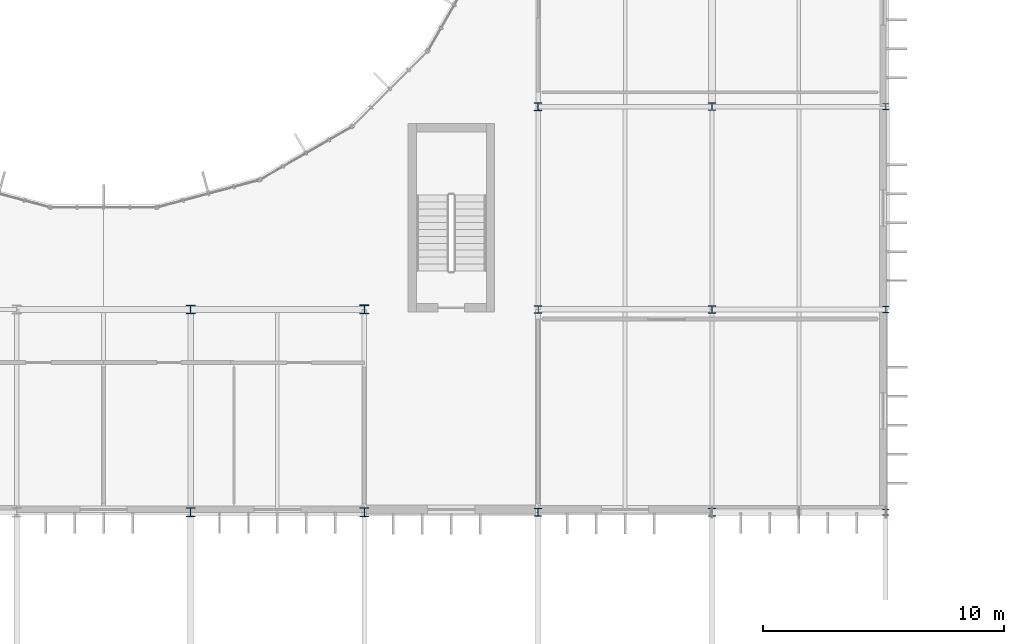
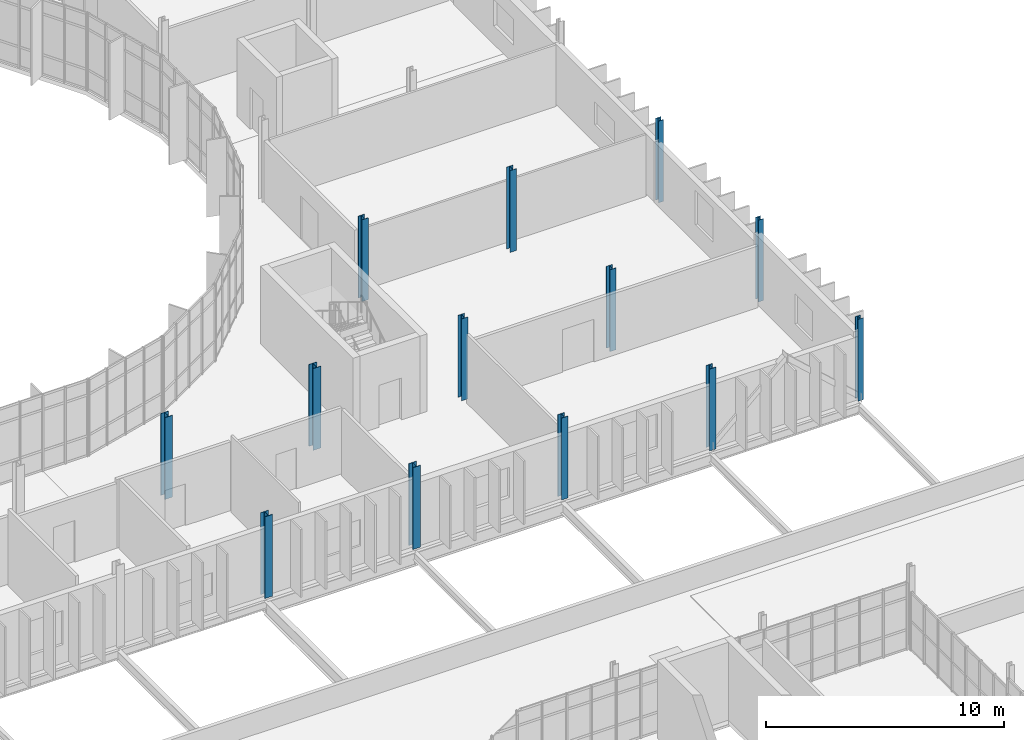
# One storey, part 22 of 119: 13 columns.
"""IFC4 building model written with IfcOpenShell, lengths in metres."""

from ifc_helpers import new_model, si_unit, direction, frame, origin, origin_2d, place, context, subcontext, project, spatial, i_section, extrude, material, material_profile, profile_set, type_object, element, save


model = new_model("IFC4")

# Units and contexts
model_context = context("Model", 3, precision=1e-05, world=origin(), true_north=direction((0.0, 1.0)))
body_context = subcontext(model_context, "Body", "Model", "MODEL_VIEW")
ifc_project = project(units=[si_unit("LENGTHUNIT", "METRE"), si_unit("AREAUNIT", "SQUARE_METRE"), si_unit("VOLUMEUNIT", "CUBIC_METRE"), si_unit("PLANEANGLEUNIT", "RADIAN"), si_unit("MASSUNIT", "GRAM", prefix="KILO")], contexts=[model_context])

# Site, building, storey
site_placement = place(None, origin())
site = spatial("IfcSite", under=ifc_project, at=site_placement, CompositionType="ELEMENT")
building_placement = place(site_placement, origin())
building = spatial("IfcBuilding", under=site, at=building_placement, Name="Qelthora Terrace Specialist Clinic", CompositionType="ELEMENT")
storey_placement = place(building_placement, frame((0.0, 0.0, 4.800048828125)))
storey = spatial("IfcBuildingStorey", under=building, at=storey_placement, Name="L01", CompositionType="ELEMENT", Elevation=4.800048828125)

# Columns
ifc_material = material(Name="Steel S355", Category="steel")
ifc_material_profile_1 = material_profile(ifc_material, i_section(OverallWidth=0.25390625, OverallDepth=0.2529296875, WebThickness=0.008544921875, FlangeThickness=0.01416015625, FilletRadius=0.012939453125, at=origin_2d()), Name="W250X73")
ifc_profile_set_1 = profile_set([ifc_material_profile_1], Name="Steel S355")
column_type_1 = type_object("IfcColumnType", Name="COL-W250X73", PredefinedType="COLUMN", material=ifc_profile_set_1)
column_1_placement = place(storey_placement, frame((158.39990234375, 50.39990234375, 0.0), z_axis=(0.0, 0.0, 1.0), x_axis=(1.0, 0.0, 0.0)))
element("IfcColumn", 1, at=column_1_placement, inside=storey, type_object=column_type_1, Name="Column L01-254", PredefinedType="COLUMN", context=body_context, shape_type="SweptSolid", body=[
    extrude(i_section(OverallWidth=0.25390625, OverallDepth=0.2529296875, WebThickness=0.008544921875, FlangeThickness=0.01416015625, FilletRadius=0.012939453125, at=origin_2d()), origin(), (0.0, 0.0, 1.0), 4.199951171875),
])
ifc_material_profile_2 = material_profile(ifc_material, i_section(OverallWidth=0.2548828125, OverallDepth=0.256103515625, WebThickness=0.009521484375, FlangeThickness=0.015625, FilletRadius=0.012939453125, at=origin_2d()), Name="W250X80")
ifc_profile_set_2 = profile_set([ifc_material_profile_2], Name="Steel S355")
column_type_2 = type_object("IfcColumnType", Name="COL-W250X80", PredefinedType="COLUMN", material=ifc_profile_set_2)
column_2_placement = place(storey_placement, frame((158.39990234375, 42.0, 0.0), z_axis=(0.0, 0.0, 1.0), x_axis=(1.0, 0.0, 0.0)))
element("IfcColumn", 2, at=column_2_placement, inside=storey, type_object=column_type_2, Name="Column L01-253", PredefinedType="COLUMN", context=body_context, shape_type="SweptSolid", body=[
    extrude(i_section(OverallWidth=0.2548828125, OverallDepth=0.256103515625, WebThickness=0.009521484375, FlangeThickness=0.015625, FilletRadius=0.012939453125, at=origin_2d()), origin(), (0.0, 0.0, 1.0), 4.199951171875),
])
ifc_material_profile_3 = material_profile(ifc_material, i_section(OverallWidth=0.256103515625, OverallDepth=0.260009765625, WebThickness=0.0107421875, FlangeThickness=0.017333984375, FilletRadius=0.012939453125, at=origin_2d()), Name="W250X89")
ifc_profile_set_3 = profile_set([ifc_material_profile_3], Name="Steel S355")
column_type_3 = type_object("IfcColumnType", Name="COL-W250X89", PredefinedType="COLUMN", material=ifc_profile_set_3)
column_3_placement = place(storey_placement, frame((158.39990234375, 33.60009765625, 0.0), z_axis=(0.0, 0.0, 1.0), x_axis=(1.0, 0.0, 0.0)))
element("IfcColumn", 3, at=column_3_placement, inside=storey, type_object=column_type_3, Name="Column L01-252", PredefinedType="COLUMN", context=body_context, shape_type="SweptSolid", body=[
    extrude(i_section(OverallWidth=0.256103515625, OverallDepth=0.260009765625, WebThickness=0.0107421875, FlangeThickness=0.017333984375, FilletRadius=0.012939453125, at=origin_2d()), origin(), (0.0, 0.0, 1.0), 4.199951171875),
])
ifc_material_profile_4 = material_profile(ifc_material, i_section(OverallWidth=0.305908203125, OverallDepth=0.31103515625, WebThickness=0.010986328125, FlangeThickness=0.01708984375, FilletRadius=0.014892578125, at=origin_2d()), Name="W310X107")
ifc_profile_set_4 = profile_set([ifc_material_profile_4], Name="Steel S355")
column_type_4 = type_object("IfcColumnType", Name="COL-W310X107", PredefinedType="COLUMN", material=ifc_profile_set_4)
column_4_placement = place(storey_placement, frame((151.199951171875, 42.0, 0.0), z_axis=(0.0, 0.0, 1.0), x_axis=(1.0, 0.0, 0.0)))
element("IfcColumn", 4, at=column_4_placement, inside=storey, type_object=column_type_4, Name="Column L01-241", PredefinedType="COLUMN", context=body_context, shape_type="SweptSolid", body=[
    extrude(i_section(OverallWidth=0.305908203125, OverallDepth=0.31103515625, WebThickness=0.010986328125, FlangeThickness=0.01708984375, FilletRadius=0.014892578125, at=origin_2d()), origin(), (0.0, 0.0, 1.0), 4.199951171875),
])
ifc_material_profile_5 = material_profile(ifc_material, i_section(OverallWidth=0.306884765625, OverallDepth=0.31396484375, WebThickness=0.011962890625, FlangeThickness=0.018798828125, FilletRadius=0.01611328125, at=origin_2d()), Name="W310X118")
ifc_profile_set_5 = profile_set([ifc_material_profile_5], Name="Steel S355")
column_type_5 = type_object("IfcColumnType", Name="COL-W310X118", PredefinedType="COLUMN", material=ifc_profile_set_5)
column_5_placement = place(storey_placement, frame((151.199951171875, 33.60009765625, 0.0), z_axis=(0.0, 0.0, 1.0), x_axis=(1.0, 0.0, 0.0)))
element("IfcColumn", 5, at=column_5_placement, inside=storey, type_object=column_type_5, Name="Column L01-240", PredefinedType="COLUMN", context=body_context, shape_type="SweptSolid", body=[
    extrude(i_section(OverallWidth=0.306884765625, OverallDepth=0.31396484375, WebThickness=0.011962890625, FlangeThickness=0.018798828125, FilletRadius=0.01611328125, at=origin_2d()), origin(), (0.0, 0.0, 1.0), 4.199951171875),
])
ifc_material_profile_6 = material_profile(ifc_material, i_section(OverallWidth=0.30810546875, OverallDepth=0.318115234375, WebThickness=0.01318359375, FlangeThickness=0.0205078125, FilletRadius=0.01611328125, at=origin_2d()), Name="W310X129")
ifc_profile_set_6 = profile_set([ifc_material_profile_6], Name="Steel S355")
column_type_6 = type_object("IfcColumnType", Name="COL-W310X129", PredefinedType="COLUMN", material=ifc_profile_set_6)
column_6_placement = place(storey_placement, frame((144.0, 42.0, 0.0), z_axis=(0.0, 0.0, 1.0), x_axis=(1.0, 0.0, 0.0)))
element("IfcColumn", 6, at=column_6_placement, inside=storey, type_object=column_type_6, Name="Column L01-227", PredefinedType="COLUMN", context=body_context, shape_type="SweptSolid", body=[
    extrude(i_section(OverallWidth=0.30810546875, OverallDepth=0.318115234375, WebThickness=0.01318359375, FlangeThickness=0.0205078125, FilletRadius=0.01611328125, at=origin_2d()), origin(), (0.0, 0.0, 1.0), 4.199951171875),
])
ifc_material_profile_7 = material_profile(ifc_material, i_section(OverallWidth=0.30908203125, OverallDepth=0.322998046875, WebThickness=0.013916015625, FlangeThickness=0.02294921875, FilletRadius=0.01611328125, at=origin_2d()), Name="W310X143")
ifc_profile_set_7 = profile_set([ifc_material_profile_7], Name="Steel S355")
column_type_7 = type_object("IfcColumnType", Name="COL-W310X143", PredefinedType="COLUMN", material=ifc_profile_set_7)
for number, where, z_axis, x_axis, name in (
    (7, (144.0, 33.60009765625, 0.0), (0.0, 0.0, 1.0), (1.0, 0.0, 0.0), "Column L01-226"),
    (8, (144.0, 50.39990234375, 0.0), (0.0, 0.0, 1.0), (1.0, 0.0, 0.0), "Column L01-228"),
):
    element("IfcColumn", number, at=place(storey_placement, frame(where, z_axis=z_axis, x_axis=x_axis)), inside=storey, type_object=column_type_7, Name=name, PredefinedType="COLUMN", context=body_context, shape_type="SweptSolid", body=[
        extrude(i_section(OverallWidth=0.30908203125, OverallDepth=0.322998046875, WebThickness=0.013916015625, FlangeThickness=0.02294921875, FilletRadius=0.01611328125, at=origin_2d()), origin(), (0.0, 0.0, 1.0), 4.199951171875),
    ])
ifc_material_profile_8 = material_profile(ifc_material, i_section(OverallWidth=0.304931640625, OverallDepth=0.30810546875, WebThickness=0.010009765625, FlangeThickness=0.015380859375, FilletRadius=0.014892578125, at=origin_2d()), Name="W310X97")
ifc_profile_set_8 = profile_set([ifc_material_profile_8], Name="Steel S355")
column_type_8 = type_object("IfcColumnType", Name="COL-W310X97", PredefinedType="COLUMN", material=ifc_profile_set_8)
column_7_placement = place(storey_placement, frame((151.199951171875, 50.39990234375, 0.0), z_axis=(0.0, 0.0, 1.0), x_axis=(1.0, 0.0, 0.0)))
element("IfcColumn", 9, at=column_7_placement, inside=storey, type_object=column_type_8, Name="Column L01-242", PredefinedType="COLUMN", context=body_context, shape_type="SweptSolid", body=[
    extrude(i_section(OverallWidth=0.304931640625, OverallDepth=0.30810546875, WebThickness=0.010009765625, FlangeThickness=0.015380859375, FilletRadius=0.014892578125, at=origin_2d()), origin(), (0.0, 0.0, 1.0), 4.199951171875),
])
ifc_material_profile_9 = material_profile(ifc_material, i_section(OverallWidth=0.37109375, OverallDepth=0.364013671875, WebThickness=0.01318359375, FlangeThickness=0.021728515625, FilletRadius=0.02001953125, at=origin_2d()), Name="W360X162")
ifc_profile_set_9 = profile_set([ifc_material_profile_9], Name="Steel S355")
column_type_9 = type_object("IfcColumnType", Name="COL-W360X162", PredefinedType="COLUMN", material=ifc_profile_set_9)
column_8_placement = place(storey_placement, frame((136.800048828125, 33.60009765625, 0.0), z_axis=(0.0, 0.0, 1.0), x_axis=(1.0, 0.0, 0.0)))
element("IfcColumn", 10, at=column_8_placement, inside=storey, type_object=column_type_9, Name="Column L01-218", PredefinedType="COLUMN", context=body_context, shape_type="SweptSolid", body=[
    extrude(i_section(OverallWidth=0.37109375, OverallDepth=0.364013671875, WebThickness=0.01318359375, FlangeThickness=0.021728515625, FilletRadius=0.02001953125, at=origin_2d()), origin(), (0.0, 0.0, 1.0), 4.199951171875),
])
ifc_material_profile_10 = material_profile(ifc_material, i_section(OverallWidth=0.373046875, OverallDepth=0.367919921875, WebThickness=0.014892578125, FlangeThickness=0.02392578125, FilletRadius=0.02001953125, at=origin_2d()), Name="W360X179")
ifc_profile_set_10 = profile_set([ifc_material_profile_10], Name="Steel S355")
column_type_10 = type_object("IfcColumnType", Name="COL-W360X179", PredefinedType="COLUMN", material=ifc_profile_set_10)
column_9_placement = place(storey_placement, frame((129.60009765625, 42.0, 0.0), z_axis=(0.0, 0.0, 1.0), x_axis=(1.0, 0.0, 0.0)))
element("IfcColumn", 11, at=column_9_placement, inside=storey, type_object=column_type_10, Name="Column L01-211", PredefinedType="COLUMN", context=body_context, shape_type="SweptSolid", body=[
    extrude(i_section(OverallWidth=0.373046875, OverallDepth=0.367919921875, WebThickness=0.014892578125, FlangeThickness=0.02392578125, FilletRadius=0.02001953125, at=origin_2d()), origin(), (0.0, 0.0, 1.0), 4.199951171875),
])
ifc_material_profile_11 = material_profile(ifc_material, i_section(OverallWidth=0.3740234375, OverallDepth=0.3720703125, WebThickness=0.016357421875, FlangeThickness=0.026123046875, FilletRadius=0.02001953125, at=origin_2d()), Name="W360X196")
ifc_profile_set_11 = profile_set([ifc_material_profile_11], Name="Steel S355")
column_type_11 = type_object("IfcColumnType", Name="COL-W360X196", PredefinedType="COLUMN", material=ifc_profile_set_11)
for number, where, z_axis, x_axis, name in (
    (12, (129.60009765625, 33.60009765625, 0.0), (0.0, 0.0, 1.0), (1.0, 0.0, 0.0), "Column L01-210"),
    (13, (136.800048828125, 42.0, 0.0), (0.0, 0.0, 1.0), (1.0, 0.0, 0.0), "Column L01-219"),
):
    element("IfcColumn", number, at=place(storey_placement, frame(where, z_axis=z_axis, x_axis=x_axis)), inside=storey, type_object=column_type_11, Name=name, PredefinedType="COLUMN", context=body_context, shape_type="SweptSolid", body=[
        extrude(i_section(OverallWidth=0.3740234375, OverallDepth=0.3720703125, WebThickness=0.016357421875, FlangeThickness=0.026123046875, FilletRadius=0.02001953125, at=origin_2d()), origin(), (0.0, 0.0, 1.0), 4.199951171875),
    ])

save(model, "model.ifc")
